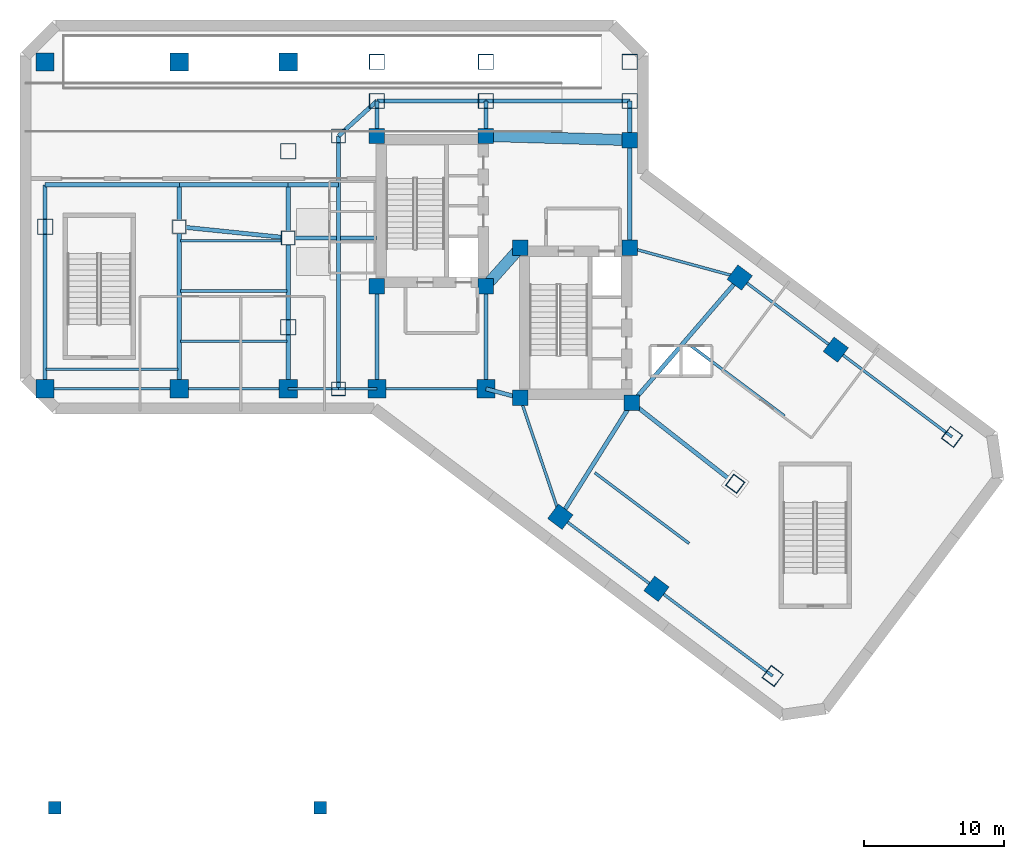
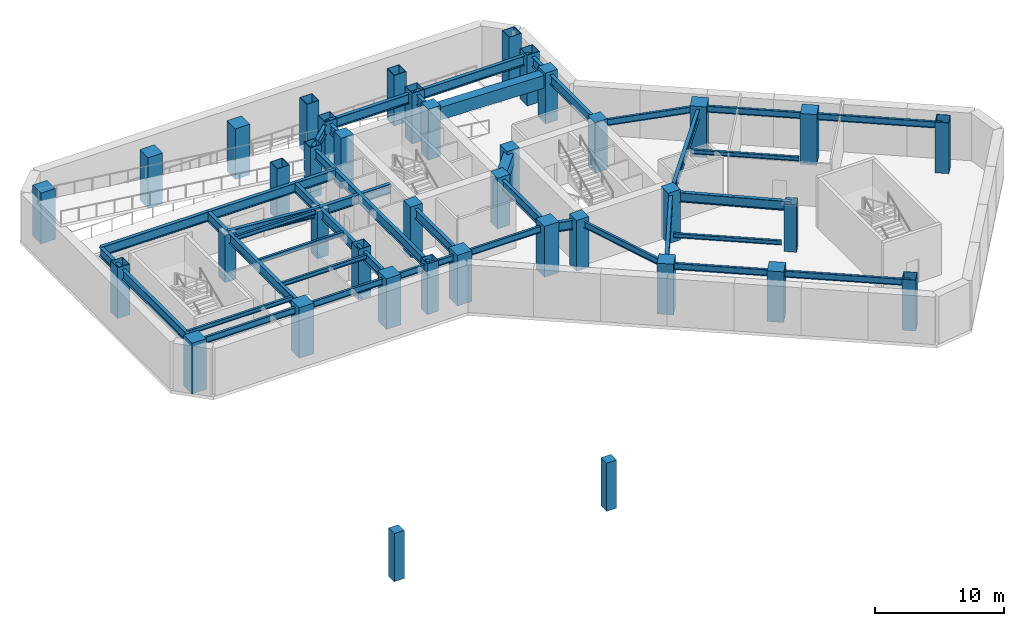
# One storey, part 1 of 9: 42 beams, 39 columns.
"""IFC4 building model written with IfcOpenShell, lengths in metres."""

from ifc_helpers import new_model, si_unit, direction, frame, origin, origin_2d, place, context, subcontext, project, spatial, rectangle, hollow_rectangle, i_section, extrude, material, material_profile, profile_set, type_object, element, save


model = new_model("IFC4")

# Units and contexts
model_context = context("Model", 3, precision=1e-05, world=origin(), true_north=direction((0.0, 1.0)))
body_context = subcontext(model_context, "Body", "Model", "MODEL_VIEW")
ifc_project = project(units=[si_unit("LENGTHUNIT", "METRE"), si_unit("AREAUNIT", "SQUARE_METRE"), si_unit("VOLUMEUNIT", "CUBIC_METRE"), si_unit("PLANEANGLEUNIT", "RADIAN"), si_unit("MASSUNIT", "GRAM", prefix="KILO")], contexts=[model_context])

# Site, building, storey
site_placement = place(None, origin())
site = spatial("IfcSite", under=ifc_project, at=site_placement, CompositionType="ELEMENT")
building_placement = place(site_placement, origin())
building = spatial("IfcBuilding", under=site, at=building_placement, Name="Hatsunagi Terrace Concourse", CompositionType="ELEMENT")
storey_placement = place(building_placement, frame((0.0, 0.0, -4.800048828125)))
storey = spatial("IfcBuildingStorey", under=building, at=storey_placement, Name="B01", CompositionType="ELEMENT", Elevation=-4.800048828125)

# Columns
ifc_material_1 = material(Name="Concrete Fc60", Category="concrete")
ifc_material_profile_1 = material_profile(ifc_material_1, rectangle(XDim=1.10009765625, YDim=1.10009765625, at=origin_2d()), Name="RC-1100x1100")
ifc_profile_set_1 = profile_set([ifc_material_profile_1], Name="Concrete Fc60")
column_type_1 = type_object("IfcColumnType", Name="CoreColumn_RC_1100x1100", PredefinedType="COLUMN", material=ifc_profile_set_1)
for number, where, z_axis, x_axis, name in (
    (1, (25.550048828125, 32.550048828125, 0.0), (0.0, 0.0, 1.0), (1.0, 0.0, 0.0), "Column C-01 B01-CASW"),
    (2, (33.35009765625, 32.550048828125, 0.0), (0.0, 0.0, 1.0), (1.0, 0.0, 0.0), "Column C-01 B01-CASE"),
    (3, (25.550048828125, 43.300048828125, 0.0), (0.0, 0.0, 1.0), (1.0, 0.0, 0.0), "Column C-01 B01-CANW"),
    (4, (33.35009765625, 43.300048828125, 0.0), (0.0, 0.0, 1.0), (1.0, 0.0, 0.0), "Column C-01 B01-CANE"),
    (5, (35.800048828125, 24.550048828125, 0.0), (0.0, 0.0, 1.0), (1.0, 0.0, 0.0), "Column C-01 B01-CBSW"),
    (6, (43.800048828125, 24.199951171875, 0.0), (0.0, 0.0, 1.0), (1.0, 0.0, 0.0), "Column C-01 B01-CBSE"),
    (7, (35.800048828125, 35.300048828125, 0.0), (0.0, 0.0, 1.0), (1.0, 0.0, 0.0), "Column C-01 B01-CBNW"),
    (8, (43.64990234375, 35.300048828125, 0.0), (0.0, 0.0, 1.0), (1.0, 0.0, 0.0), "Column C-01 B01-CBNE"),
    (9, (43.64990234375, 43.0, 0.0), (0.0, 0.0, 1.0), (1.0, 0.0, 0.0), "Column C-01 B01-K3"),
):
    element("IfcColumn", number, at=place(storey_placement, frame(where, z_axis=z_axis, x_axis=x_axis)), inside=storey, type_object=column_type_1, Name=name, PredefinedType="COLUMN", context=body_context, shape_type="SweptSolid", body=[
        extrude(rectangle(XDim=1.10009765625, YDim=1.10009765625, at=origin_2d()), origin(), (0.0, 0.0, 1.0), 4.800048828125),
    ])
ifc_material_2 = material(Name="Concrete Fc48", Category="concrete")
ifc_material_profile_2 = material_profile(ifc_material_2, rectangle(XDim=0.89990234375, YDim=0.89990234375, at=origin_2d()), Name="RC-900x900")
ifc_profile_set_2 = profile_set([ifc_material_profile_2], Name="Concrete Fc48")
column_type_2 = type_object("IfcColumnType", Name="CoreColumn_RC_900x900", PredefinedType="COLUMN", material=ifc_profile_set_2)
for number, where, z_axis, x_axis, name in (
    (10, (2.5, -4.800048828125, 0.0), (0.0, 0.0, 1.0), (1.0, 0.0, 0.0), "Forecourt Plaza Support Column C-02 B01-1"),
    (11, (21.5, -4.800048828125, 0.0), (0.0, 0.0, 1.0), (1.0, 0.0, 0.0), "Forecourt Plaza Support Column C-02 B01-2"),
):
    element("IfcColumn", number, at=place(storey_placement, frame(where, z_axis=z_axis, x_axis=x_axis)), inside=storey, type_object=column_type_2, Name=name, PredefinedType="COLUMN", context=body_context, shape_type="SweptSolid", body=[
        extrude(rectangle(XDim=0.89990234375, YDim=0.89990234375, at=origin_2d()), origin(), (0.0, 0.0, 1.0), 4.550048828125),
    ])
ifc_material_3 = material(Name="Steel BCP325T", Category="steel")
ifc_material_profile_3 = material_profile(ifc_material_3, hollow_rectangle(XDim=1.10009765625, YDim=1.10009765625, WallThickness=0.0400390625, at=origin_2d()), Name="BCP-1100x1100x40")
ifc_profile_set_3 = profile_set([ifc_material_profile_3], Name="Steel BCP325T")
column_type_3 = type_object("IfcColumnType", Name="MegaColumn_BCP_1100x1100x40", PredefinedType="COLUMN", material=ifc_profile_set_3)
for number, where, z_axis, x_axis, name in (
    (12, (25.550048828125, 45.800048828125, 0.0), (0.0, 0.0, 1.0), (1.0, 0.0, 0.0), "Mega column MC-02 B01-CN1"),
    (13, (33.35009765625, 45.800048828125, 0.0), (0.0, 0.0, 1.0), (1.0, 0.0, 0.0), "Mega column MC-02 B01-CN2"),
    (14, (43.64990234375, 45.800048828125, 0.0), (0.0, 0.0, 1.0), (1.0, 0.0, 0.0), "Mega column MC-02 B01-CN3"),
    (15, (1.800048828125, 36.800048828125, 0.0), (0.0, 0.0, 1.0), (1.0, 0.0, 0.0), "Mega column MC-02 B01-WM0"),
    (16, (25.550048828125, 48.60009765625, 0.0), (0.0, 0.0, 1.0), (1.0, 0.0, 0.0), "Mega column MC-02 B01-WN4"),
    (17, (33.35009765625, 48.60009765625, 0.0), (0.0, 0.0, 1.0), (1.0, 0.0, 0.0), "Mega column MC-02 B01-WN5"),
    (18, (43.64990234375, 48.60009765625, 0.0), (0.0, 0.0, 1.0), (1.0, 0.0, 0.0), "Mega column MC-02 B01-WN6"),
    (19, (19.199951171875, 29.60009765625, 0.0), (0.0, 0.0, 1.0), (1.0, 0.0, 0.0), "Mega column MC-02 B01-WR1"),
    (20, (19.199951171875, 42.199951171875, 0.0), (0.0, 0.0, 1.0), (1.0, 0.0, 0.0), "Mega column MC-02 B01-WR2"),
    (21, (53.8798828125, 4.639892578125, 0.0), (0.0, 0.0, 1.0), (0.799999996291, -0.600000004945, 0.0), "Mega column MC-02 B01-SES3"),
    (22, (66.719970703125, 21.760009765625, 0.0), (0.0, 0.0, 1.0), (0.799999996291, -0.600000004945, 0.0), "Mega column MC-02 B01-SEN3"),
):
    element("IfcColumn", number, at=place(storey_placement, frame(where, z_axis=z_axis, x_axis=x_axis)), inside=storey, type_object=column_type_3, Name=name, PredefinedType="COLUMN", context=body_context, shape_type="SweptSolid", body=[
        extrude(hollow_rectangle(XDim=1.10009765625, YDim=1.10009765625, WallThickness=0.0400390625, at=origin_2d()), origin(), (0.0, 0.0, 1.0), 4.800048828125),
    ])
ifc_material_4 = material(Name="Concrete Fc60", Category="concrete")
ifc_material_profile_4 = material_profile(ifc_material_4, rectangle(XDim=1.300048828125, YDim=1.300048828125, at=origin_2d()), Name="RC-1300x1300")
ifc_profile_set_4 = profile_set([ifc_material_profile_4], Name="Concrete Fc60")
column_type_4 = type_object("IfcColumnType", Name="MegaColumn_RC_1300x1300", PredefinedType="COLUMN", material=ifc_profile_set_4)
for number, where, z_axis, x_axis, name in (
    (23, (25.550048828125, 25.199951171875, 0.0), (0.0, 0.0, 1.0), (1.0, 0.0, 0.0), "Mega column MC-01 B01-K1"),
    (24, (33.35009765625, 25.199951171875, 0.0), (0.0, 0.0, 1.0), (1.0, 0.0, 0.0), "Mega column MC-01 B01-K2"),
    (25, (1.800048828125, 25.199951171875, 0.0), (0.0, 0.0, 1.0), (1.0, 0.0, 0.0), "Mega column MC-01 B01-WS1"),
    (26, (1.800048828125, 48.60009765625, 0.0), (0.0, 0.0, 1.0), (1.0, 0.0, 0.0), "Mega column MC-01 B01-WN1"),
    (27, (11.39990234375, 25.199951171875, 0.0), (0.0, 0.0, 1.0), (1.0, 0.0, 0.0), "Mega column MC-01 B01-WS2"),
    (28, (11.39990234375, 48.60009765625, 0.0), (0.0, 0.0, 1.0), (1.0, 0.0, 0.0), "Mega column MC-01 B01-WN2"),
    (29, (19.199951171875, 48.60009765625, 0.0), (0.0, 0.0, 1.0), (1.0, 0.0, 0.0), "Mega column MC-01 B01-WN3"),
    (30, (19.199951171875, 25.199951171875, 0.0), (0.0, 0.0, 1.0), (1.0, 0.0, 0.0), "Mega column MC-01 B01-WS3"),
    (31, (38.679931640625, 16.0400390625, 0.0), (0.0, 0.0, 1.0), (0.799999996291, -0.600000004945, 0.0), "Mega column MC-01 B01-SES1"),
    (32, (51.52001953125, 33.159912109375, 0.0), (0.0, 0.0, 1.0), (0.799999996291, -0.600000004945, 0.0), "Mega column MC-01 B01-SEN1"),
    (33, (45.56005859375, 10.8798828125, 0.0), (0.0, 0.0, 1.0), (0.799999996291, -0.600000004945, 0.0), "Mega column MC-01 B01-SES2"),
    (34, (58.39990234375, 28.0, 0.0), (0.0, 0.0, 1.0), (0.799999996291, -0.600000004945, 0.0), "Mega column MC-01 B01-SEN2"),
):
    element("IfcColumn", number, at=place(storey_placement, frame(where, z_axis=z_axis, x_axis=x_axis)), inside=storey, type_object=column_type_4, Name=name, PredefinedType="COLUMN", context=body_context, shape_type="SweptSolid", body=[
        extrude(rectangle(XDim=1.300048828125, YDim=1.300048828125, at=origin_2d()), origin(), (0.0, 0.0, 1.0), 4.800048828125),
    ])
ifc_material_5 = material(Name="Steel BCP325T", Category="steel")
ifc_material_profile_5 = material_profile(ifc_material_5, hollow_rectangle(XDim=1.0, YDim=1.0, WallThickness=0.0380859375, at=origin_2d()), Name="BCP-1000x1000x38")
ifc_profile_set_5 = profile_set([ifc_material_profile_5], Name="Steel BCP325T")
column_type_5 = type_object("IfcColumnType", Name="TowerBoxColumn_1000x1000x38", PredefinedType="COLUMN", material=ifc_profile_set_5)
for number, where, z_axis, x_axis, name in (
    (35, (22.800048828125, 25.199951171875, 0.0), (0.0, 0.0, 1.0), (1.0, 0.0, 0.0), "Column C-03 B01-CW1"),
    (36, (22.800048828125, 43.300048828125, 0.0), (0.0, 0.0, 1.0), (1.0, 0.0, 0.0), "Column C-03 B01-CW2"),
):
    element("IfcColumn", number, at=place(storey_placement, frame(where, z_axis=z_axis, x_axis=x_axis)), inside=storey, type_object=column_type_5, Name=name, PredefinedType="COLUMN", context=body_context, shape_type="SweptSolid", body=[
        extrude(hollow_rectangle(XDim=1.0, YDim=1.0, WallThickness=0.0380859375, at=origin_2d()), origin(), (0.0, 0.0, 1.0), 4.800048828125),
    ])
for number, where, z_axis, x_axis, name in (
    (37, (11.39990234375, 36.800048828125, 0.0), (0.0, 0.0, 1.0), (1.0, 0.0, 0.0), "Column C-03 B01-WT1"),
    (38, (19.199951171875, 36.0, 0.0), (0.0, 0.0, 1.0), (1.0, 0.0, 0.0), "Column C-03 B01-WT2"),
    (39, (51.199951171875, 18.39990234375, 0.0), (0.0, 0.0, 1.0), (0.799999996291, -0.600000004945, 0.0), "Column C-03 B01-SEM2"),
):
    element("IfcColumn", number, at=place(storey_placement, frame(where, z_axis=z_axis, x_axis=x_axis)), inside=storey, type_object=column_type_5, Name=name, PredefinedType="COLUMN", context=body_context, shape_type="SweptSolid", body=[
        extrude(hollow_rectangle(XDim=1.0, YDim=1.0, WallThickness=0.0380859375, at=origin_2d()), origin(), (0.0, 0.0, 1.0), 4.468017578125),
    ])

# Beams
ifc_material_6 = material(Name="Concrete Fc60", Category="concrete")
ifc_material_profile_6 = material_profile(ifc_material_6, rectangle(XDim=0.800048828125, YDim=1.199951171875, at=origin_2d()), Name="RC-800x1200")
ifc_profile_set_6 = profile_set([ifc_material_profile_6], Name="Concrete Fc60")
beam_type_1 = type_object("IfcBeamType", Name="CoreCouplingBeam_RC_800x1200", PredefinedType="BEAM", material=ifc_profile_set_6)
beam_1_placement = place(storey_placement, frame((33.35009765625, 32.550048828125, 3.900146484375), z_axis=(0.665198651008, 0.746666427997, 0.0), x_axis=(-0.746666427997, 0.665198651008, 0.0)))
element("IfcBeam", 40, at=beam_1_placement, inside=storey, type_object=beam_type_1, Name="Beam CB-01 CB-B01-1", PredefinedType="BEAM", context=body_context, shape_type="SweptSolid", body=[
    extrude(rectangle(XDim=0.800048828125, YDim=1.199951171875, at=origin_2d()), origin(), (0.0, 0.0, 1.0), 3.68310546875),
])
beam_2_placement = place(storey_placement, frame((33.35009765625, 43.300048828125, 3.900146484375), z_axis=(0.999575947545, -0.029119153303, 0.0), x_axis=(0.029119153303, 0.999575947545, 0.0)))
element("IfcBeam", 41, at=beam_2_placement, inside=storey, type_object=beam_type_1, Name="Beam CB-01 CB-B01-2", PredefinedType="BEAM", context=body_context, shape_type="SweptSolid", body=[
    extrude(rectangle(XDim=0.800048828125, YDim=1.199951171875, at=origin_2d()), origin(), (0.0, 0.0, 1.0), 10.30419921875),
])
ifc_material_7 = material(Name="Steel SN490B", Category="steel")
ifc_material_profile_7 = material_profile(ifc_material_7, i_section(OverallWidth=0.300048828125, OverallDepth=0.89990234375, WebThickness=0.01611328125, FlangeThickness=0.028076171875, FilletRadius=0.02197265625, at=origin_2d()), Name="H-900x300x16x28")
ifc_profile_set_7 = profile_set([ifc_material_profile_7], Name="Steel SN490B")
beam_type_2 = type_object("IfcBeamType", Name="HeavyRefugeGirder_H_900x300", PredefinedType="BEAM", material=ifc_profile_set_7)
for number, where, z_axis, x_axis, name in (
    (42, (25.550048828125, 25.199951171875, 4.050048828125), (0.0, 1.0, 0.0), (-1.0, 0.0, 0.0), "Beam G-02 BM-B01-K1CA"),
    (43, (33.35009765625, 25.199951171875, 4.050048828125), (0.0, 1.0, 0.0), (-1.0, 0.0, 0.0), "Beam G-02 BM-B01-K2CA"),
):
    element("IfcBeam", number, at=place(storey_placement, frame(where, z_axis=z_axis, x_axis=x_axis)), inside=storey, type_object=beam_type_2, Name=name, PredefinedType="BEAM", context=body_context, shape_type="SweptSolid", body=[
        extrude(i_section(OverallWidth=0.300048828125, OverallDepth=0.89990234375, WebThickness=0.01611328125, FlangeThickness=0.028076171875, FilletRadius=0.02197265625, at=origin_2d()), origin(), (0.0, 0.0, 1.0), 7.35009765625),
    ])
beam_3_placement = place(storey_placement, frame((33.35009765625, 25.199951171875, 4.050048828125), z_axis=(0.966569840116, -0.256403479262, 0.0), x_axis=(0.256403479262, 0.966569840116, 0.0)))
element("IfcBeam", 44, at=beam_3_placement, inside=storey, type_object=beam_type_2, Name="Beam G-02 BM-B01-K2CB", PredefinedType="BEAM", context=body_context, shape_type="SweptSolid", body=[
    extrude(i_section(OverallWidth=0.300048828125, OverallDepth=0.89990234375, WebThickness=0.01611328125, FlangeThickness=0.028076171875, FilletRadius=0.02197265625, at=origin_2d()), origin(), (0.0, 0.0, 1.0), 2.53466796875),
])
beam_4_placement = place(storey_placement, frame((43.64990234375, 35.300048828125, 4.050048828125), z_axis=(0.0, 1.0, 0.0), x_axis=(-1.0, 0.0, 0.0)))
element("IfcBeam", 45, at=beam_4_placement, inside=storey, type_object=beam_type_2, Name="Beam G-02 BM-B01-CBK3", PredefinedType="BEAM", context=body_context, shape_type="SweptSolid", body=[
    extrude(i_section(OverallWidth=0.300048828125, OverallDepth=0.89990234375, WebThickness=0.01611328125, FlangeThickness=0.028076171875, FilletRadius=0.02197265625, at=origin_2d()), origin(), (0.0, 0.0, 1.0), 7.699951171875),
])
for number, where, z_axis, x_axis, name in (
    (46, (25.550048828125, 43.300048828125, 4.050048828125), (0.0, 1.0, 0.0), (-1.0, 0.0, 0.0), "Beam G-02 BM-B01-CN1"),
    (47, (33.35009765625, 43.300048828125, 4.050048828125), (0.0, 1.0, 0.0), (-1.0, 0.0, 0.0), "Beam G-02 BM-B01-CN2"),
):
    element("IfcBeam", number, at=place(storey_placement, frame(where, z_axis=z_axis, x_axis=x_axis)), inside=storey, type_object=beam_type_2, Name=name, PredefinedType="BEAM", context=body_context, shape_type="SweptSolid", body=[
        extrude(i_section(OverallWidth=0.300048828125, OverallDepth=0.89990234375, WebThickness=0.01611328125, FlangeThickness=0.028076171875, FilletRadius=0.02197265625, at=origin_2d()), origin(), (0.0, 0.0, 1.0), 2.5),
    ])
beam_5_placement = place(storey_placement, frame((43.64990234375, 43.0, 4.050048828125), z_axis=(0.0, 1.0, 0.0), x_axis=(-1.0, 0.0, 0.0)))
element("IfcBeam", 48, at=beam_5_placement, inside=storey, type_object=beam_type_2, Name="Beam G-02 BM-B01-CN3", PredefinedType="BEAM", context=body_context, shape_type="SweptSolid", body=[
    extrude(i_section(OverallWidth=0.300048828125, OverallDepth=0.89990234375, WebThickness=0.01611328125, FlangeThickness=0.028076171875, FilletRadius=0.02197265625, at=origin_2d()), origin(), (0.0, 0.0, 1.0), 2.800048828125),
])
beam_6_placement = place(storey_placement, frame((25.550048828125, 45.800048828125, 4.050048828125), z_axis=(1.0, 0.0, 0.0), x_axis=(0.0, 1.0, 0.0)))
element("IfcBeam", 49, at=beam_6_placement, inside=storey, type_object=beam_type_2, Name="Beam G-02 BM-B01-CNEW1", PredefinedType="BEAM", context=body_context, shape_type="SweptSolid", body=[
    extrude(i_section(OverallWidth=0.300048828125, OverallDepth=0.89990234375, WebThickness=0.01611328125, FlangeThickness=0.028076171875, FilletRadius=0.02197265625, at=origin_2d()), origin(), (0.0, 0.0, 1.0), 7.800048828125),
])
beam_7_placement = place(storey_placement, frame((33.35009765625, 45.800048828125, 4.050048828125), z_axis=(1.0, 0.0, 0.0), x_axis=(0.0, 1.0, 0.0)))
element("IfcBeam", 50, at=beam_7_placement, inside=storey, type_object=beam_type_2, Name="Beam G-02 BM-B01-CNEW2", PredefinedType="BEAM", context=body_context, shape_type="SweptSolid", body=[
    extrude(i_section(OverallWidth=0.300048828125, OverallDepth=0.89990234375, WebThickness=0.01611328125, FlangeThickness=0.028076171875, FilletRadius=0.02197265625, at=origin_2d()), origin(), (0.0, 0.0, 1.0), 10.2998046875),
])
beam_8_placement = place(storey_placement, frame((22.800048828125, 25.199951171875, 4.050048828125), z_axis=(0.0, 1.0, 0.0), x_axis=(-1.0, 0.0, 0.0)))
element("IfcBeam", 51, at=beam_8_placement, inside=storey, type_object=beam_type_2, Name="Beam G-02 BM-B01-CWNS", PredefinedType="BEAM", context=body_context, shape_type="SweptSolid", body=[
    extrude(i_section(OverallWidth=0.300048828125, OverallDepth=0.89990234375, WebThickness=0.01611328125, FlangeThickness=0.028076171875, FilletRadius=0.02197265625, at=origin_2d()), origin(), (0.0, 0.0, 1.0), 18.10009765625),
])
beam_9_placement = place(storey_placement, frame((22.800048828125, 43.300048828125, 4.050048828125), z_axis=(0.739940073396, 0.672672793996, 0.0), x_axis=(-0.672672793996, 0.739940073396, 0.0)))
element("IfcBeam", 52, at=beam_9_placement, inside=storey, type_object=beam_type_2, Name="Beam G-02 BM-B01-CWEW-N", PredefinedType="BEAM", context=body_context, shape_type="SweptSolid", body=[
    extrude(i_section(OverallWidth=0.300048828125, OverallDepth=0.89990234375, WebThickness=0.01611328125, FlangeThickness=0.028076171875, FilletRadius=0.02197265625, at=origin_2d()), origin(), (0.0, 0.0, 1.0), 3.716552734375),
])
beam_10_placement = place(storey_placement, frame((1.800048828125, 39.800048828125, 4.050048828125), z_axis=(1.0, 0.0, 0.0), x_axis=(0.0, 1.0, 0.0)))
element("IfcBeam", 53, at=beam_10_placement, inside=storey, type_object=beam_type_2, Name="Beam G-02 BM-B01-RTRIM-1", PredefinedType="BEAM", context=body_context, shape_type="SweptSolid", body=[
    extrude(i_section(OverallWidth=0.300048828125, OverallDepth=0.89990234375, WebThickness=0.01611328125, FlangeThickness=0.028076171875, FilletRadius=0.02197265625, at=origin_2d()), origin(), (0.0, 0.0, 1.0), 9.599853515625),
])
beam_11_placement = place(storey_placement, frame((11.39990234375, 39.800048828125, 4.050048828125), z_axis=(1.0, 0.0, 0.0), x_axis=(0.0, 1.0, 0.0)))
element("IfcBeam", 54, at=beam_11_placement, inside=storey, type_object=beam_type_2, Name="Beam G-02 BM-B01-RTRIM-2", PredefinedType="BEAM", context=body_context, shape_type="SweptSolid", body=[
    extrude(i_section(OverallWidth=0.300048828125, OverallDepth=0.89990234375, WebThickness=0.01611328125, FlangeThickness=0.028076171875, FilletRadius=0.02197265625, at=origin_2d()), origin(), (0.0, 0.0, 1.0), 7.800048828125),
])
beam_12_placement = place(storey_placement, frame((19.199951171875, 39.800048828125, 4.050048828125), z_axis=(1.0, 0.0, 0.0), x_axis=(0.0, 1.0, 0.0)))
element("IfcBeam", 55, at=beam_12_placement, inside=storey, type_object=beam_type_2, Name="Beam G-02 BM-B01-RTRIM-3", PredefinedType="BEAM", context=body_context, shape_type="SweptSolid", body=[
    extrude(i_section(OverallWidth=0.300048828125, OverallDepth=0.89990234375, WebThickness=0.01611328125, FlangeThickness=0.028076171875, FilletRadius=0.02197265625, at=origin_2d()), origin(), (0.0, 0.0, 1.0), 3.60009765625),
])
for number, where, z_axis, x_axis, name in (
    (56, (1.800048828125, 25.199951171875, 4.050048828125), (0.0, 1.0, 0.0), (-1.0, 0.0, 0.0), "Beam G-02 BM-B01-RNS-1"),
    (57, (11.39990234375, 25.199951171875, 4.050048828125), (0.0, 1.0, 0.0), (-1.0, 0.0, 0.0), "Beam G-02 BM-B01-RNS-11"),
    (58, (19.199951171875, 25.199951171875, 4.050048828125), (0.0, 1.0, 0.0), (-1.0, 0.0, 0.0), "Beam G-02 BM-B01-RNS-19"),
):
    element("IfcBeam", number, at=place(storey_placement, frame(where, z_axis=z_axis, x_axis=x_axis)), inside=storey, type_object=beam_type_2, Name=name, PredefinedType="BEAM", context=body_context, shape_type="SweptSolid", body=[
        extrude(i_section(OverallWidth=0.300048828125, OverallDepth=0.89990234375, WebThickness=0.01611328125, FlangeThickness=0.028076171875, FilletRadius=0.02197265625, at=origin_2d()), origin(), (0.0, 0.0, 1.0), 14.60009765625),
    ])
beam_13_placement = place(storey_placement, frame((11.39990234375, 36.800048828125, 4.050048828125), z_axis=(0.994780871372, -0.102034395927, 0.0), x_axis=(0.102034395927, 0.994780871372, 0.0)))
element("IfcBeam", 59, at=beam_13_placement, inside=storey, type_object=beam_type_2, Name="Beam G-02 BM-B01-EW-2", PredefinedType="BEAM", context=body_context, shape_type="SweptSolid", body=[
    extrude(i_section(OverallWidth=0.300048828125, OverallDepth=0.89990234375, WebThickness=0.01611328125, FlangeThickness=0.028076171875, FilletRadius=0.02197265625, at=origin_2d()), origin(), (0.0, 0.0, 1.0), 7.841064453125),
])
beam_14_placement = place(storey_placement, frame((19.199951171875, 36.0, 4.050048828125), z_axis=(1.0, 0.0, 0.0), x_axis=(0.0, 1.0, 0.0)))
element("IfcBeam", 60, at=beam_14_placement, inside=storey, type_object=beam_type_2, Name="Beam G-02 BM-B01-EW-3", PredefinedType="BEAM", context=body_context, shape_type="SweptSolid", body=[
    extrude(i_section(OverallWidth=0.300048828125, OverallDepth=0.89990234375, WebThickness=0.01611328125, FlangeThickness=0.028076171875, FilletRadius=0.02197265625, at=origin_2d()), origin(), (0.0, 0.0, 1.0), 3.449951171875),
])
beam_15_placement = place(storey_placement, frame((22.949951171875, 36.0, 4.050048828125), z_axis=(1.0, 0.0, 0.0), x_axis=(0.0, 1.0, 0.0)))
element("IfcBeam", 61, at=beam_15_placement, inside=storey, type_object=beam_type_2, Name="Beam G-02 BM-B01-EW-4", PredefinedType="BEAM", context=body_context, shape_type="SweptSolid", body=[
    extrude(i_section(OverallWidth=0.300048828125, OverallDepth=0.89990234375, WebThickness=0.01611328125, FlangeThickness=0.028076171875, FilletRadius=0.02197265625, at=origin_2d()), origin(), (0.0, 0.0, 1.0), 2.56005859375),
])
beam_16_placement = place(storey_placement, frame((38.679931640625, 16.0400390625, 4.050048828125), z_axis=(0.531503907049, 0.847055840421, 0.0), x_axis=(-0.847055840421, 0.531503907049, 0.0)))
element("IfcBeam", 62, at=beam_16_placement, inside=storey, type_object=beam_type_2, Name="Beam G-02 BM-B01-SET-1A", PredefinedType="BEAM", context=body_context, shape_type="SweptSolid", body=[
    extrude(i_section(OverallWidth=0.300048828125, OverallDepth=0.89990234375, WebThickness=0.01611328125, FlangeThickness=0.028076171875, FilletRadius=0.02197265625, at=origin_2d()), origin(), (0.0, 0.0, 1.0), 9.63330078125),
])
beam_17_placement = place(storey_placement, frame((43.800048828125, 24.199951171875, 4.050048828125), z_axis=(0.652739101421, 0.757582777969, 0.0), x_axis=(-0.757582777969, 0.652739101421, 0.0)))
element("IfcBeam", 63, at=beam_17_placement, inside=storey, type_object=beam_type_2, Name="Beam G-02 BM-B01-SET-1B", PredefinedType="BEAM", context=body_context, shape_type="SweptSolid", body=[
    extrude(i_section(OverallWidth=0.300048828125, OverallDepth=0.89990234375, WebThickness=0.01611328125, FlangeThickness=0.028076171875, FilletRadius=0.02197265625, at=origin_2d()), origin(), (0.0, 0.0, 1.0), 11.8271484375),
])
beam_18_placement = place(storey_placement, frame((43.800048828125, 24.199951171875, 4.050048828125), z_axis=(0.787049441068, -0.616889923175, 0.0), x_axis=(0.616889923175, 0.787049441068, 0.0)))
element("IfcBeam", 64, at=beam_18_placement, inside=storey, type_object=beam_type_2, Name="Beam G-02 BM-B01-SE-M2", PredefinedType="BEAM", context=body_context, shape_type="SweptSolid", body=[
    extrude(i_section(OverallWidth=0.300048828125, OverallDepth=0.89990234375, WebThickness=0.01611328125, FlangeThickness=0.028076171875, FilletRadius=0.02197265625, at=origin_2d()), origin(), (0.0, 0.0, 1.0), 9.402099609375),
])
ifc_material_8 = material(Name="Steel SN490B", Category="steel")
ifc_material_profile_8 = material_profile(ifc_material_8, i_section(OverallWidth=0.199951171875, OverallDepth=0.60009765625, WebThickness=0.010986328125, FlangeThickness=0.01708984375, FilletRadius=0.01806640625, at=origin_2d()), Name="H-600x200x11x17")
ifc_profile_set_8 = profile_set([ifc_material_profile_8], Name="Steel SN490B")
beam_type_3 = type_object("IfcBeamType", Name="PerimeterSpandrel_H_600x200", PredefinedType="SPANDREL", material=ifc_profile_set_8)
beam_19_placement = place(storey_placement, frame((1.800048828125, 25.199951171875, 4.199951171875), z_axis=(1.0, 0.0, 0.0), x_axis=(0.0, 1.0, 0.0)))
element("IfcBeam", 65, at=beam_19_placement, inside=storey, type_object=beam_type_3, Name="Beam SP-01 BM-B01-WS-1", PredefinedType="SPANDREL", context=body_context, shape_type="SweptSolid", body=[
    extrude(i_section(OverallWidth=0.199951171875, OverallDepth=0.60009765625, WebThickness=0.010986328125, FlangeThickness=0.01708984375, FilletRadius=0.01806640625, at=origin_2d()), origin(), (0.0, 0.0, 1.0), 9.599853515625),
])
beam_20_placement = place(storey_placement, frame((11.39990234375, 25.199951171875, 4.199951171875), z_axis=(1.0, 0.0, 0.0), x_axis=(0.0, 1.0, 0.0)))
element("IfcBeam", 66, at=beam_20_placement, inside=storey, type_object=beam_type_3, Name="Beam SP-01 BM-B01-WS-11", PredefinedType="SPANDREL", context=body_context, shape_type="SweptSolid", body=[
    extrude(i_section(OverallWidth=0.199951171875, OverallDepth=0.60009765625, WebThickness=0.010986328125, FlangeThickness=0.01708984375, FilletRadius=0.01806640625, at=origin_2d()), origin(), (0.0, 0.0, 1.0), 7.800048828125),
])
beam_21_placement = place(storey_placement, frame((19.199951171875, 25.199951171875, 4.199951171875), z_axis=(1.0, 0.0, 0.0), x_axis=(0.0, 1.0, 0.0)))
element("IfcBeam", 67, at=beam_21_placement, inside=storey, type_object=beam_type_3, Name="Beam SP-01 BM-B01-WS-19", PredefinedType="SPANDREL", context=body_context, shape_type="SweptSolid", body=[
    extrude(i_section(OverallWidth=0.199951171875, OverallDepth=0.60009765625, WebThickness=0.010986328125, FlangeThickness=0.01708984375, FilletRadius=0.01806640625, at=origin_2d()), origin(), (0.0, 0.0, 1.0), 3.60009765625),
])
beam_22_placement = place(storey_placement, frame((22.800048828125, 25.199951171875, 4.199951171875), z_axis=(1.0, 0.0, 0.0), x_axis=(0.0, 1.0, 0.0)))
element("IfcBeam", 68, at=beam_22_placement, inside=storey, type_object=beam_type_3, Name="Beam SP-01 BM-B01-WS-22", PredefinedType="SPANDREL", context=body_context, shape_type="SweptSolid", body=[
    extrude(i_section(OverallWidth=0.199951171875, OverallDepth=0.60009765625, WebThickness=0.010986328125, FlangeThickness=0.01708984375, FilletRadius=0.01806640625, at=origin_2d()), origin(), (0.0, 0.0, 1.0), 2.75),
])
beam_23_placement = place(storey_placement, frame((25.550048828125, 25.199951171875, 4.199951171875), z_axis=(1.0, 0.0, 0.0), x_axis=(0.0, 1.0, 0.0)))
element("IfcBeam", 69, at=beam_23_placement, inside=storey, type_object=beam_type_3, Name="Beam SP-01 BM-B01-WS-25", PredefinedType="SPANDREL", context=body_context, shape_type="SweptSolid", body=[
    extrude(i_section(OverallWidth=0.199951171875, OverallDepth=0.60009765625, WebThickness=0.010986328125, FlangeThickness=0.01708984375, FilletRadius=0.01806640625, at=origin_2d()), origin(), (0.0, 0.0, 1.0), 7.800048828125),
])
beam_24_placement = place(storey_placement, frame((35.800048828125, 24.550048828125, 4.199951171875), z_axis=(0.320553412271, -0.947230441805, 0.0), x_axis=(0.947230441805, 0.320553412271, 0.0)))
element("IfcBeam", 70, at=beam_24_placement, inside=storey, type_object=beam_type_3, Name="Beam SP-01 BM-B01-SE-SW0", PredefinedType="SPANDREL", context=body_context, shape_type="SweptSolid", body=[
    extrude(i_section(OverallWidth=0.199951171875, OverallDepth=0.60009765625, WebThickness=0.010986328125, FlangeThickness=0.01708984375, FilletRadius=0.01806640625, at=origin_2d()), origin(), (0.0, 0.0, 1.0), 8.984130859375),
])
beam_25_placement = place(storey_placement, frame((43.64990234375, 35.300048828125, 4.199951171875), z_axis=(0.964958359286, -0.262403057994, 0.0), x_axis=(0.262403057994, 0.964958359286, 0.0)))
element("IfcBeam", 71, at=beam_25_placement, inside=storey, type_object=beam_type_3, Name="Beam SP-01 BM-B01-SE-NE0", PredefinedType="SPANDREL", context=body_context, shape_type="SweptSolid", body=[
    extrude(i_section(OverallWidth=0.199951171875, OverallDepth=0.60009765625, WebThickness=0.010986328125, FlangeThickness=0.01708984375, FilletRadius=0.01806640625, at=origin_2d()), origin(), (0.0, 0.0, 1.0), 8.156005859375),
])
beam_26_placement = place(storey_placement, frame((38.679931640625, 16.0400390625, 4.199951171875), z_axis=(0.799996593451, -0.600004542038, 0.0), x_axis=(0.600004542038, 0.799996593451, 0.0)))
element("IfcBeam", 72, at=beam_26_placement, inside=storey, type_object=beam_type_3, Name="Beam SP-01 BM-B01-SE-SW2", PredefinedType="SPANDREL", context=body_context, shape_type="SweptSolid", body=[
    extrude(i_section(OverallWidth=0.199951171875, OverallDepth=0.60009765625, WebThickness=0.010986328125, FlangeThickness=0.01708984375, FilletRadius=0.01806640625, at=origin_2d()), origin(), (0.0, 0.0, 1.0), 8.60009765625),
])
beam_27_placement = place(storey_placement, frame((51.52001953125, 33.159912109375, 4.199951171875), z_axis=(0.8, -0.6, 0.0), x_axis=(0.6, 0.8, 0.0)))
element("IfcBeam", 73, at=beam_27_placement, inside=storey, type_object=beam_type_3, Name="Beam SP-01 BM-B01-SE-NE2", PredefinedType="SPANDREL", context=body_context, shape_type="SweptSolid", body=[
    extrude(i_section(OverallWidth=0.199951171875, OverallDepth=0.60009765625, WebThickness=0.010986328125, FlangeThickness=0.01708984375, FilletRadius=0.01806640625, at=origin_2d()), origin(), (0.0, 0.0, 1.0), 8.599853515625),
])
beam_28_placement = place(storey_placement, frame((45.56005859375, 10.8798828125, 4.199951171875), z_axis=(0.799994365871, -0.600007512099, 0.0), x_axis=(0.600007512099, 0.799994365871, 0.0)))
element("IfcBeam", 74, at=beam_28_placement, inside=storey, type_object=beam_type_3, Name="Beam SP-01 BM-B01-SE-SW3", PredefinedType="SPANDREL", context=body_context, shape_type="SweptSolid", body=[
    extrude(i_section(OverallWidth=0.199951171875, OverallDepth=0.60009765625, WebThickness=0.010986328125, FlangeThickness=0.01708984375, FilletRadius=0.01806640625, at=origin_2d()), origin(), (0.0, 0.0, 1.0), 10.39990234375),
])
beam_29_placement = place(storey_placement, frame((58.39990234375, 28.0, 4.199951171875), z_axis=(0.800002816985, -0.599996244001, 0.0), x_axis=(0.599996244001, 0.800002816985, 0.0)))
element("IfcBeam", 75, at=beam_29_placement, inside=storey, type_object=beam_type_3, Name="Beam SP-01 BM-B01-SE-NE3", PredefinedType="SPANDREL", context=body_context, shape_type="SweptSolid", body=[
    extrude(i_section(OverallWidth=0.199951171875, OverallDepth=0.60009765625, WebThickness=0.010986328125, FlangeThickness=0.01708984375, FilletRadius=0.01806640625, at=origin_2d()), origin(), (0.0, 0.0, 1.0), 10.400146484375),
])
ifc_material_9 = material(Name="Steel SN490B", Category="steel")
ifc_material_profile_9 = material_profile(ifc_material_9, i_section(OverallWidth=0.199951171875, OverallDepth=0.39990234375, WebThickness=0.008056640625, FlangeThickness=0.012939453125, FilletRadius=0.012939453125, at=origin_2d()), Name="H-400x200x8x13")
ifc_profile_set_9 = profile_set([ifc_material_profile_9], Name="Steel SN490B")
beam_type_4 = type_object("IfcBeamType", Name="PodiumJoist_H_400x200", PredefinedType="JOIST", material=ifc_profile_set_9)
beam_30_placement = place(storey_placement, frame((1.864990234375, 26.60009765625, 4.300048828125), z_axis=(1.0, 0.0, 0.0), x_axis=(0.0, 1.0, 0.0)))
element("IfcBeam", 76, at=beam_30_placement, inside=storey, type_object=beam_type_4, Name="Beam J-01 J-B01-W-1-266", PredefinedType="JOIST", context=body_context, shape_type="SweptSolid", body=[
    extrude(i_section(OverallWidth=0.199951171875, OverallDepth=0.39990234375, WebThickness=0.008056640625, FlangeThickness=0.012939453125, FilletRadius=0.012939453125, at=origin_2d()), origin(), (0.0, 0.0, 1.0), 9.449951171875),
])
for number, where, z_axis, x_axis, name in (
    (77, (11.485107421875, 28.60009765625, 4.300048828125), (1.0, 0.0, 0.0), (0.0, 1.0, 0.0), "Beam J-01 J-B01-W-11-286"),
    (78, (11.485107421875, 32.199951171875, 4.300048828125), (1.0, 0.0, 0.0), (0.0, 1.0, 0.0), "Beam J-01 J-B01-W-11-322"),
    (79, (11.485107421875, 35.800048828125, 4.300048828125), (1.0, 0.0, 0.0), (0.0, 1.0, 0.0), "Beam J-01 J-B01-W-11-358"),
):
    element("IfcBeam", number, at=place(storey_placement, frame(where, z_axis=z_axis, x_axis=x_axis)), inside=storey, type_object=beam_type_4, Name=name, PredefinedType="JOIST", context=body_context, shape_type="SweptSolid", body=[
        extrude(i_section(OverallWidth=0.199951171875, OverallDepth=0.39990234375, WebThickness=0.008056640625, FlangeThickness=0.012939453125, FilletRadius=0.012939453125, at=origin_2d()), origin(), (0.0, 0.0, 1.0), 7.6298828125),
    ])
for number, where, z_axis, x_axis, name in (
    (80, (41.14794921875, 19.18896484375, 4.300048828125), (0.800013900983, -0.599981464909, 0.0), (0.599981464909, 0.800013900983, 0.0), "Beam J-01 J-B01-SE-2-62"),
    (81, (47.988037109375, 28.30908203125, 4.300048828125), (0.799989573921, -0.600013901187, 0.0), (0.600013901187, 0.799989573921, 0.0), "Beam J-01 J-B01-SE-2-176"),
):
    element("IfcBeam", number, at=place(storey_placement, frame(where, z_axis=z_axis, x_axis=x_axis)), inside=storey, type_object=beam_type_4, Name=name, PredefinedType="JOIST", context=body_context, shape_type="SweptSolid", body=[
        extrude(i_section(OverallWidth=0.199951171875, OverallDepth=0.39990234375, WebThickness=0.008056640625, FlangeThickness=0.012939453125, FilletRadius=0.012939453125, at=origin_2d()), origin(), (0.0, 0.0, 1.0), 8.429931640625),
    ])

save(model, "model.ifc")
